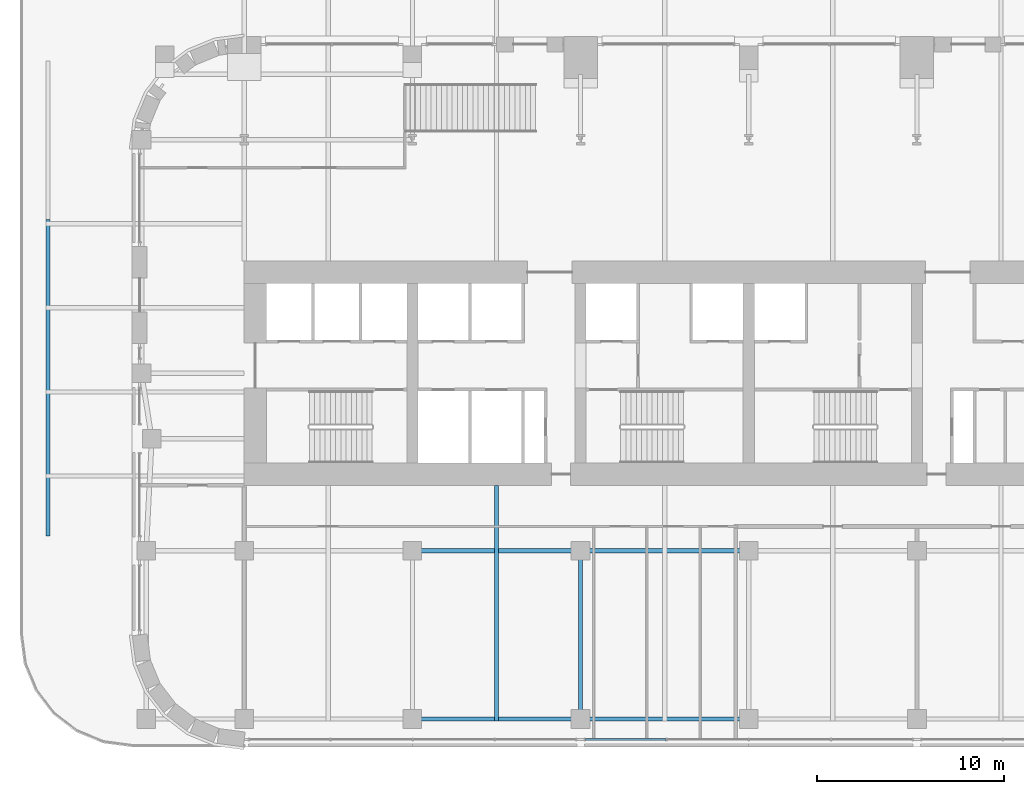
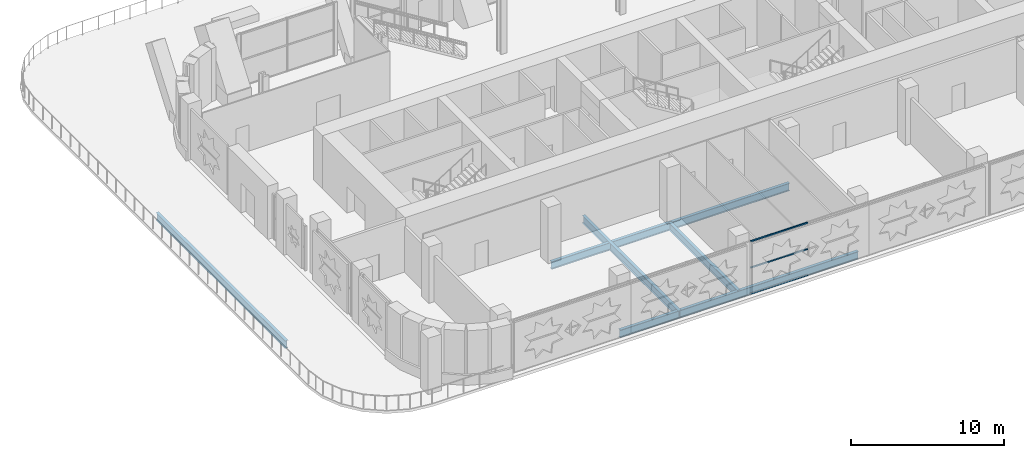
# One storey, part 3 of 26: 5 beams, 3 members, 1 element without a shape of its own.
"""IFC4 building model written with IfcOpenShell, lengths in metres."""

import ifcopenshell
import ifcopenshell.guid

model = None  # the IFC model being written
_history = None  # IfcOwnerHistory: only IFC2X3 demands one
_inside = {}  # id of a spatial element -> (the spatial element, [elements in it])
_under = {}  # id of a project, library or spatial element -> (it, [spatial elements below it])
_declared = {}  # id of a project -> (the project, [libraries it declares])
_typed = {}  # id of a type object -> (the type object, [elements of that type])
_made_of = {}  # id of a material, layer set ... -> (it, [elements and type objects made of it])


def new_model(schema):
    """Start an empty IFC model of exactly this schema.

    Asked for "IFC4X3", IfcOpenShell would pick the latest addendum, in which some entities
    have other attributes; the version numbers below select the first issue.
    IFC2X3 requires an IfcOwnerHistory on every rooted entity: one is made here for all.
    """
    global model, _history
    if schema == "IFC4X3":
        model = ifcopenshell.file(schema_version=(4, 3, 0, 0))
    else:
        model = ifcopenshell.file(schema=schema)
    _inside.clear()
    _under.clear()
    _declared.clear()
    _typed.clear()
    _made_of.clear()
    _history = None
    if model.schema == "IFC2X3":
        org = make("IfcOrganization", Name="unknown")
        user = make(
            "IfcPersonAndOrganization",
            ThePerson=make("IfcPerson", FamilyName="unknown"),
            TheOrganization=org,
        )
        app = make(
            "IfcApplication",
            ApplicationDeveloper=org,
            Version="unknown",
            ApplicationFullName="unknown",
            ApplicationIdentifier="unknown",
        )
        _history = make(
            "IfcOwnerHistory",
            OwningUser=user,
            OwningApplication=app,
            ChangeAction="ADDED",
            CreationDate=0,
        )
    return model


def make(cls, **values):
    """One entity of the class cls with the attributes given. An attribute that is None is left unset."""
    return model.create_entity(
        cls, **{name: value for name, value in values.items() if value is not None}
    )


def rooted(cls, **values):
    """An entity with a GlobalId (a new one), such as an element, a storey or a relation."""
    return make(cls, GlobalId=ifcopenshell.guid.new(), OwnerHistory=_history, **values)


def si_unit(unit_type, name, prefix=None):
    """IfcSIUnit, for example si_unit("LENGTHUNIT", "METRE", prefix="MILLI")."""
    return make("IfcSIUnit", UnitType=unit_type, Prefix=prefix, Name=name)


def assignment(units):
    """IfcUnitAssignment: the units of a project."""
    return None if units is None else make("IfcUnitAssignment", Units=units)


def point(xyz):
    """IfcCartesianPoint."""
    return None if xyz is None else make("IfcCartesianPoint", Coordinates=xyz)


def direction(xyz):
    """IfcDirection."""
    return None if xyz is None else make("IfcDirection", DirectionRatios=xyz)


def frame(location, z_axis=None, x_axis=None):
    """IfcAxis2Placement3D, a coordinate frame: its origin and axes. An axis left out is left unset."""
    return make(
        "IfcAxis2Placement3D",
        Location=point(location),
        Axis=direction(z_axis),
        RefDirection=direction(x_axis),
    )


def frame_2d(location, x_axis=None):
    """IfcAxis2Placement2D, a coordinate frame in the plane: its origin and x axis."""
    return make(
        "IfcAxis2Placement2D", Location=point(location), RefDirection=direction(x_axis)
    )


def origin():
    """The frame at (0, 0, 0) with its axes left unset."""
    return frame((0.0, 0.0, 0.0))


def origin_2d():
    """The frame at (0, 0) in the plane with its x axis left unset."""
    return frame_2d((0.0, 0.0))


def place(relative_to, where):
    """IfcLocalPlacement: puts the frame where relative to a parent placement (None: the world)."""
    return make(
        "IfcLocalPlacement", PlacementRelTo=relative_to, RelativePlacement=where
    )


def context(
    kind, dimensions, precision=None, world=None, true_north=None, identifier=None
):
    """IfcGeometricRepresentationContext, for example the 3D "Model" context."""
    return make(
        "IfcGeometricRepresentationContext",
        ContextIdentifier=identifier,
        ContextType=kind,
        CoordinateSpaceDimension=dimensions,
        Precision=precision,
        WorldCoordinateSystem=world,
        TrueNorth=true_north,
    )


def subcontext(parent, identifier, kind, view, scale=None):
    """IfcGeometricRepresentationSubContext, for example "Body" below "Model"."""
    return make(
        "IfcGeometricRepresentationSubContext",
        ContextIdentifier=identifier,
        ContextType=kind,
        ParentContext=parent,
        TargetScale=scale,
        TargetView=view,
    )


def project(units=None, contexts=None):
    """IfcProject with its units and contexts."""
    return rooted(
        "IfcProject",
        Name="project",
        RepresentationContexts=contexts,
        UnitsInContext=assignment(units),
    )


def spatial(cls, under=None, at=None, **own):
    """A site, building, storey or space (cls), placed at a placement, below another one or the project."""
    s = rooted(cls, ObjectPlacement=at, **own)
    if under is not None:
        _under.setdefault(under.id(), (under, []))[1].append(s)
    return s


def profile(cls, at=None, kind="AREA", **sizes):
    """A parametric profile (cls). Its sizes go by their IFC names, for example OverallWidth=200.0."""
    return make(cls, ProfileType=kind, Position=at, **sizes)


def rectangle(**sizes):
    """IfcRectangleProfileDef."""
    return profile("IfcRectangleProfileDef", **sizes)


def i_section(**sizes):
    """IfcIShapeProfileDef."""
    return profile("IfcIShapeProfileDef", **sizes)


def extrude(swept, where, along, depth):
    """IfcExtrudedAreaSolid: the profile swept, set in the frame where, extruded along a direction by depth."""
    return make(
        "IfcExtrudedAreaSolid",
        SweptArea=swept,
        Position=where,
        ExtrudedDirection=direction(along),
        Depth=depth,
    )


def shape(context_of_items, identifier, shape_type, items):
    """IfcShapeRepresentation: the items that make up one representation, for example the "Body"."""
    return make(
        "IfcShapeRepresentation",
        ContextOfItems=context_of_items,
        RepresentationIdentifier=identifier,
        RepresentationType=shape_type,
        Items=items,
    )


def material(Name=None, Category=None):
    """IfcMaterial."""
    return make("IfcMaterial", Name=Name, Category=Category)


def material_profile(
    of_material, cross_section, Name=None, Category=None, Priority=None
):
    """IfcMaterialProfile: a cross section and its material."""
    return make(
        "IfcMaterialProfile",
        Name=Name,
        Material=of_material,
        Profile=cross_section,
        Priority=Priority,
        Category=Category,
    )


def profile_set(profiles, Name=None, composite=None):
    """IfcMaterialProfileSet."""
    return make(
        "IfcMaterialProfileSet",
        Name=Name,
        MaterialProfiles=profiles,
        CompositeProfile=composite,
    )


def made_of(thing, what):
    """Note that an element or type object is made of a material, layer set ...; save() writes the relation."""
    if what is not None:
        _made_of.setdefault(what.id(), (what, []))[1].append(thing)
    return thing


def type_object(cls, material=None, **own):
    """A type object (cls), such as IfcWallType, which elements share."""
    return made_of(rooted(cls, **own), material)


def element(
    cls,
    number,
    at=None,
    inside=None,
    cuts=None,
    type_object=None,
    material=None,
    context=None,
    identifier="Body",
    shape_type=None,
    held_by="IfcProductDefinitionShape",
    body=None,
    shapes=None,
    **own,
):
    """One element of the class cls, such as IfcWall. Its Tag is "e" and its number.

    at: its placement. inside: the storey or other place that contains it. cuts: it is an
    opening in that element (IfcRelVoidsElement). A single representation is given by context,
    identifier, shape_type and body (its items); several are given by shapes. held_by: the class
    of the entity that holds the representations. save() writes the other relations.
    """
    e = rooted(cls, Tag="e%d" % number, ObjectPlacement=at, **own)
    if body is not None:
        shapes = [shape(context, identifier, shape_type, body)]
    if shapes is not None:
        e.Representation = make(held_by, Representations=shapes)
    if inside is not None:
        _inside.setdefault(inside.id(), (inside, []))[1].append(e)
    if cuts is not None:
        rooted(
            "IfcRelVoidsElement", RelatingBuildingElement=cuts, RelatedOpeningElement=e
        )
    if type_object is not None:
        _typed.setdefault(type_object.id(), (type_object, []))[1].append(e)
    return made_of(e, material)


def aggregate(whole, parts):
    """IfcRelAggregates: a whole, such as a stair, and the parts it consists of."""
    return rooted("IfcRelAggregates", RelatingObject=whole, RelatedObjects=parts)


def save(model, path):
    """Write the relations noted so far, then the file.

    IfcRelAggregates (storeys below a building ...), IfcRelContainedInSpatialStructure (elements
    in a storey), IfcRelDefinesByType, IfcRelAssociatesMaterial and IfcRelDeclares: one each for
    every whole, place, type object, material and project.
    """
    for whole, parts in _under.values():
        aggregate(whole, parts)
    for where, things in _inside.values():
        rooted(
            "IfcRelContainedInSpatialStructure",
            RelatedElements=things,
            RelatingStructure=where,
        )
    for kind, things in _typed.values():
        rooted("IfcRelDefinesByType", RelatedObjects=things, RelatingType=kind)
    for what, things in _made_of.values():
        rooted("IfcRelAssociatesMaterial", RelatedObjects=things, RelatingMaterial=what)
    for by, libraries in _declared.values():
        rooted("IfcRelDeclares", RelatingContext=by, RelatedDefinitions=libraries)
    model.write(path)


model = new_model("IFC4")

# Units and contexts
model_context = context("Model", 3, precision=1e-05, world=origin(), true_north=direction((0.0, 1.0)))
body_context = subcontext(model_context, "Body", "Model", "MODEL_VIEW")
ifc_project = project(units=[si_unit("LENGTHUNIT", "METRE"), si_unit("AREAUNIT", "SQUARE_METRE"), si_unit("VOLUMEUNIT", "CUBIC_METRE"), si_unit("PLANEANGLEUNIT", "RADIAN"), si_unit("MASSUNIT", "GRAM", prefix="KILO")], contexts=[model_context])

# Site, building, storey
site_placement = place(None, origin())
site = spatial("IfcSite", under=ifc_project, at=site_placement, CompositionType="ELEMENT")
building_placement = place(site_placement, origin())
building = spatial("IfcBuilding", under=site, at=building_placement, Name="Zellij Exchange Tower", CompositionType="ELEMENT")
storey_placement = place(building_placement, frame((0.0, 0.0, 39.0)))
storey = spatial("IfcBuildingStorey", under=building, at=storey_placement, Name="L06", CompositionType="ELEMENT", Elevation=39.0)

# Curtain wall, members
ifc_material_1 = material(Name="Aluminium frame, clear insulating glass", Category="aluminium")
curtain_wall_type = type_object("IfcCurtainWallType", Name="ENV-CW1 Sky-garden glazing", PredefinedType="NOTDEFINED", material=ifc_material_1)
curtain_wall_placement = place(storey_placement, origin())
curtain_wall = element("IfcCurtainWall", 1, at=curtain_wall_placement, inside=storey, type_object=curtain_wall_type, Name="cw.L06.00b", PredefinedType="NOTDEFINED")
ifc_material_2 = material(Name="Aluminium", Category="aluminium")
ifc_material_profile_1 = material_profile(ifc_material_2, rectangle(XDim=0.1201171875, YDim=0.06005859375, at=origin_2d()), Name="AL 120x60")
ifc_profile_set_1 = profile_set([ifc_material_profile_1], Name="Aluminium")
member_type = type_object("IfcMemberType", Name="ENV-CW1T Transom 120x60", PredefinedType="USERDEFINED", material=ifc_profile_set_1)
member_1_placement = place(storey_placement, frame((-8.739990234375, -27.60009765625, 0.030029296875), z_axis=(1.0, 0.0, 0.0), x_axis=(0.0, 1.0, 0.0)))
member_1 = element("IfcMember", 2, at=member_1_placement, type_object=member_type, Name="CW1 transom 1.1", ObjectType="TRANSOM", PredefinedType="USERDEFINED", context=body_context, shape_type="SweptSolid", body=[
    extrude(rectangle(XDim=0.1201171875, YDim=0.06005859375, at=origin_2d()), origin(), (0.0, 0.0, 1.0), 4.31005859375),
])
member_2_placement = place(storey_placement, frame((-8.739990234375, -27.60009765625, 2.125), z_axis=(1.0, 0.0, 0.0), x_axis=(0.0, 1.0, 0.0)))
member_2 = element("IfcMember", 3, at=member_2_placement, type_object=member_type, Name="CW1 transom 1.2", ObjectType="TRANSOM", PredefinedType="USERDEFINED", context=body_context, shape_type="SweptSolid", body=[
    extrude(rectangle(XDim=0.1201171875, YDim=0.06005859375, at=origin_2d()), origin(), (0.0, 0.0, 1.0), 4.31005859375),
])
member_3_placement = place(storey_placement, frame((-8.739990234375, -27.60009765625, 4.219970703125), z_axis=(1.0, 0.0, 0.0), x_axis=(0.0, 1.0, 0.0)))
member_3 = element("IfcMember", 4, at=member_3_placement, type_object=member_type, Name="CW1 transom 1.3", ObjectType="TRANSOM", PredefinedType="USERDEFINED", context=body_context, shape_type="SweptSolid", body=[
    extrude(rectangle(XDim=0.1201171875, YDim=0.06005859375, at=origin_2d()), origin(), (0.0, 0.0, 1.0), 4.31005859375),
])
aggregate(curtain_wall, [member_1, member_2, member_3])

# Beams
ifc_material_3 = material(Name="Structural steel ASTM A992 Gr 50", Category="steel")
ifc_material_profile_2 = material_profile(ifc_material_3, i_section(OverallWidth=0.22900390625, OverallDepth=0.612060546875, WebThickness=0.011962890625, FlangeThickness=0.01953125, at=origin_2d()), Name="W24x84")
ifc_profile_set_2 = profile_set([ifc_material_profile_2], Name="Structural steel ASTM A992 Gr 50")
beam_type_1 = type_object("IfcBeamType", Name="STR-BEAM W24x84", PredefinedType="BEAM", material=ifc_profile_set_2)
beam_1_placement = place(storey_placement, frame((-13.5, -26.614501953125, -0.55615234375), z_axis=(0.0, 1.0, 0.0), x_axis=(-1.0, 0.0, 0.0)))
element("IfcBeam", 5, at=beam_1_placement, inside=storey, type_object=beam_type_1, Name="B6", PredefinedType="BEAM", context=body_context, shape_type="SweptSolid", body=[
    extrude(i_section(OverallWidth=0.22900390625, OverallDepth=0.612060546875, WebThickness=0.011962890625, FlangeThickness=0.01953125, at=origin_2d()), origin(), (0.0, 0.0, 1.0), 12.614501953125),
])
ifc_material_profile_3 = material_profile(ifc_material_3, i_section(OverallWidth=0.22900390625, OverallDepth=0.612060546875, WebThickness=0.011962890625, FlangeThickness=0.01953125, at=origin_2d()), Name="W24x84")
ifc_profile_set_3 = profile_set([ifc_material_profile_3], Name="Structural steel ASTM A992 Gr 50")
beam_type_2 = type_object("IfcBeamType", Name="STR-GIRDER W24x84", PredefinedType="BEAM", material=ifc_profile_set_3)
for number, where, z_axis, x_axis, name in (
    (6, (-18.0, -26.5, -0.55615234375), (1.0, 0.0, 0.0), (0.0, 1.0, 0.0), "G4"),
    (7, (-18.0, -17.5, -0.55615234375), (1.0, 0.0, 0.0), (0.0, 1.0, 0.0), "G4"),
):
    element("IfcBeam", number, at=place(storey_placement, frame(where, z_axis=z_axis, x_axis=x_axis)), inside=storey, type_object=beam_type_2, Name=name, PredefinedType="BEAM", context=body_context, shape_type="SweptSolid", body=[
        extrude(i_section(OverallWidth=0.22900390625, OverallDepth=0.612060546875, WebThickness=0.011962890625, FlangeThickness=0.01953125, at=origin_2d()), origin(), (0.0, 0.0, 1.0), 18.0),
    ])
beam_2_placement = place(storey_placement, frame((-37.5, -16.708984375, -0.55615234375), z_axis=(0.0, 1.0, 0.0), x_axis=(-1.0, 0.0, 0.0)))
element("IfcBeam", 8, at=beam_2_placement, inside=storey, type_object=beam_type_2, Name="G4", PredefinedType="BEAM", context=body_context, shape_type="SweptSolid", body=[
    extrude(i_section(OverallWidth=0.22900390625, OverallDepth=0.612060546875, WebThickness=0.011962890625, FlangeThickness=0.01953125, at=origin_2d()), origin(), (0.0, 0.0, 1.0), 16.945068359375),
])
beam_3_placement = place(storey_placement, frame((-9.0, -26.5, -0.55615234375), z_axis=(0.0, 1.0, 0.0), x_axis=(-1.0, 0.0, 0.0)))
element("IfcBeam", 9, at=beam_3_placement, inside=storey, type_object=beam_type_2, Name="G4", PredefinedType="BEAM", context=body_context, shape_type="SweptSolid", body=[
    extrude(i_section(OverallWidth=0.22900390625, OverallDepth=0.612060546875, WebThickness=0.011962890625, FlangeThickness=0.01953125, at=origin_2d()), origin(), (0.0, 0.0, 1.0), 9.0),
])

save(model, "model.ifc")
